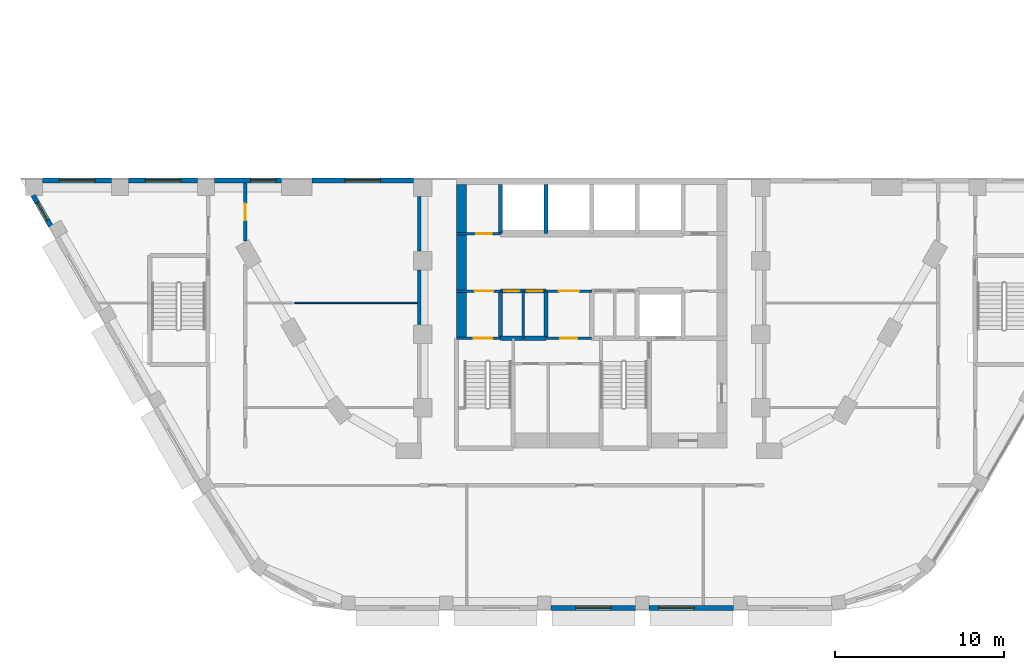
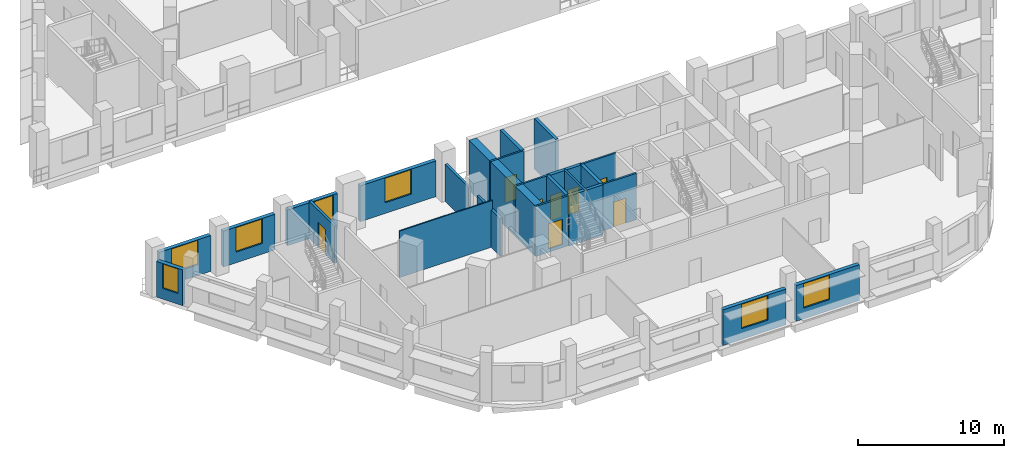
# One storey, part 14 of 45: 24 walls, 8 doors, 7 windows, 15 openings.
"""IFC4 building model written with IfcOpenShell, lengths in metres."""

from ifc_helpers import new_model, si_unit, direction, frame, frame_2d, origin, place, context, subcontext, project, spatial, rectangle, extrude, material, layer, layer_set, type_object, element, fill, save


model = new_model("IFC4")

# Units and contexts
model_context = context("Model", 3, precision=1e-05, world=origin(), true_north=direction((0.0, 1.0)))
body_context = subcontext(model_context, "Body", "Model", "MODEL_VIEW")
ifc_project = project(units=[si_unit("LENGTHUNIT", "METRE"), si_unit("AREAUNIT", "SQUARE_METRE"), si_unit("VOLUMEUNIT", "CUBIC_METRE"), si_unit("PLANEANGLEUNIT", "RADIAN"), si_unit("MASSUNIT", "GRAM", prefix="KILO")], contexts=[model_context])

# Site, building, storey
site_placement = place(None, origin())
site = spatial("IfcSite", under=ifc_project, at=site_placement, CompositionType="ELEMENT")
building_placement = place(site_placement, origin())
building = spatial("IfcBuilding", under=site, at=building_placement, Name="Nakaniwa Court", CompositionType="ELEMENT")
storey_placement = place(building_placement, frame((0.0, 0.0, 11.39990234375)))
storey = spatial("IfcBuildingStorey", under=building, at=storey_placement, Name="L02", CompositionType="ELEMENT", Elevation=11.39990234375)

# Wall, opening, door
ifc_material_1 = material(Name="Acoustic double stud partition")
ifc_layer_1 = layer(ifc_material_1, 0.199951171875)
ifc_layer_set_1 = layer_set([ifc_layer_1], Name="Acoustic double stud partition")
wall_type_1 = type_object("IfcWallType", Name="Acoustic double stud partition 200", PredefinedType="PARTITIONING", material=ifc_layer_set_1)
wall_1_placement = place(storey_placement, frame((59.5, 72.300048828125, 0.0), z_axis=(0.0, 0.0, 1.0), x_axis=(0.0, -1.0, 0.0)))
wall_1 = element("IfcWall", 1, at=wall_1_placement, inside=storey, type_object=wall_type_1, Name="Partition PW-099", PredefinedType="PARTITIONING", context=body_context, shape_type="SweptSolid", body=[
    extrude(rectangle(XDim=3.44921875, YDim=0.199951171875, at=frame_2d((1.724609375, 0.0))), origin(), (0.0, 0.0, 1.0), 3.130126953125),
])
opening_1_placement = place(wall_1_placement, frame((1.222900390625, 0.0, 0.0)))
opening_1 = element("IfcOpeningElement", 2, at=opening_1_placement, cuts=wall_1, Name="Opening D-02-16", PredefinedType="OPENING", context=body_context, shape_type="SweptSolid", body=[
    extrude(rectangle(XDim=1.0, YDim=2.10009765625, at=frame_2d((0.5, 1.050048828125))), frame((0.0, 0.10986328125, 0.0), z_axis=(0.0, -1.0, 0.0), x_axis=(1.0, 0.0, 0.0)), (0.0, 0.0, 1.0), 0.219970703125),
])
ifc_material_2 = material(Name="Solid core timber door set, black veneer", Category="wood")
door_type_1 = type_object("IfcDoorType", Name="Internal door 1000", OperationType="NOTDEFINED", PredefinedType="DOOR", material=ifc_material_2)
door_1_placement = place(opening_1_placement, origin())
door_1 = element("IfcDoor", 3, at=door_1_placement, inside=storey, type_object=door_type_1, Name="Door D-02-16 L02-049", OperationType="SINGLE_SWING_RIGHT", OverallHeight=2.10009765625, OverallWidth=1.0, PredefinedType="DOOR", context=body_context, shape_type="SweptSolid", body=[
    extrude(rectangle(XDim=1.0, YDim=2.10009765625, at=frame_2d((0.5, 1.050048828125))), frame((0.0, 0.02490234375, 0.0), z_axis=(0.0, -1.0, 0.0), x_axis=(1.0, 0.0, 0.0)), (0.0, 0.0, 1.0), 0.050048828125),
])
fill(opening_1, door_1)

# Walls
wall_2_placement = place(storey_placement, frame((69.800048828125, 63.9169921875, 0.0), z_axis=(0.0, 0.0, 1.0), x_axis=(0.0, 1.0, 0.0)))
element("IfcWall", 4, at=wall_2_placement, inside=storey, type_object=wall_type_1, Name="Partition PW-112", PredefinedType="PARTITIONING", context=body_context, shape_type="SweptSolid", body=[
    extrude(rectangle(XDim=3.216064453125, YDim=0.199951171875, at=frame_2d((1.60791015625, 0.0))), origin(), (0.0, 0.0, 1.0), 3.130126953125),
])
wall_3_placement = place(storey_placement, frame((69.800048828125, 68.26708984375, 0.0), z_axis=(0.0, 0.0, 1.0), x_axis=(0.0, 1.0, 0.0)))
element("IfcWall", 5, at=wall_3_placement, inside=storey, type_object=wall_type_1, Name="Partition PW-113", PredefinedType="PARTITIONING", context=body_context, shape_type="SweptSolid", body=[
    extrude(rectangle(XDim=3.2158203125, YDim=0.199951171875, at=frame_2d((1.60791015625, 0.0))), origin(), (0.0, 0.0, 1.0), 3.130126953125),
])

# Wall, opening, window
ifc_material_3 = material(Name="Charcoal ceramic cladding")
ifc_layer_2 = layer(ifc_material_3, 0.02, Name="Ceramic cladding")
ifc_material_4 = material(Name="Ventilated air cavity")
ifc_layer_3 = layer(ifc_material_4, 0.04, ventilated=True, Name="Ventilated cavity")
ifc_material_5 = material(Name="Mineral wool insulation")
ifc_layer_4 = layer(ifc_material_5, 0.1, Name="Insulation")
ifc_material_6 = material(Name="Cement bonded sheathing board")
ifc_layer_5 = layer(ifc_material_6, 0.012, Name="Sheathing")
ifc_material_7 = material(Name="Cold-formed galvanised stud frame with mineral wool infill")
ifc_layer_6 = layer(ifc_material_7, 0.1, Name="Stud frame")
ifc_material_8 = material(Name="Fire-rated gypsum plasterboard lining")
ifc_layer_7 = layer(ifc_material_8, 0.028, Name="Lining")
ifc_layer_set_2 = layer_set([ifc_layer_2, ifc_layer_3, ifc_layer_4, ifc_layer_5, ifc_layer_6, ifc_layer_7], Name="Charcoal ceramic faced external wall system")
wall_type_2 = type_object("IfcWallType", Name="Black ceramic faced external wall 300", PredefinedType="SOLIDWALL", material=ifc_layer_set_2)
wall_4_placement = place(storey_placement, frame((69.4541015625, 72.449951171875, 0.0), z_axis=(0.0, 0.0, 1.0), x_axis=(-1.0, 0.0, 0.0)))
wall_4 = element("IfcWall", 6, at=wall_4_placement, inside=storey, type_object=wall_type_2, Name="L02 external wall 08", PredefinedType="SOLIDWALL", context=body_context, shape_type="SweptSolid", body=[
    extrude(rectangle(XDim=6.01611328125, YDim=0.300048828125, at=frame_2d((3.008056640625, 0.0))), origin(), (0.0, 0.0, 1.0), 3.0),
])
opening_2_placement = place(wall_4_placement, frame((1.9580078125, 0.0, 0.89990234375)))
opening_2 = element("IfcOpeningElement", 7, at=opening_2_placement, cuts=wall_4, Name="Opening W2.05", PredefinedType="OPENING", context=body_context, shape_type="SweptSolid", body=[
    extrude(rectangle(XDim=2.10009765625, YDim=2.050048828125, at=frame_2d((1.050048828125, 1.02490234375))), frame((0.0, 0.159912109375, 0.0), z_axis=(0.0, -1.0, 0.0), x_axis=(1.0, 0.0, 0.0)), (0.0, 0.0, 1.0), 0.320068359375),
])
ifc_material_9 = material(Name="Black anodised aluminium frame with dark low-E laminated double glazing", Category="aluminium")
window_type_1 = type_object("IfcWindowType", Name="Dark glass window 2100x2050 sill 900", PartitioningType="SINGLE_PANEL", PredefinedType="WINDOW", material=ifc_material_9)
window_1_placement = place(opening_2_placement, origin())
window_1 = element("IfcWindow", 8, at=window_1_placement, inside=storey, type_object=window_type_1, Name="L02 habitable room window 08-0", OverallHeight=2.050048828125, OverallWidth=2.10009765625, PartitioningType="SINGLE_PANEL", PredefinedType="WINDOW", context=body_context, shape_type="SweptSolid", body=[
    extrude(rectangle(XDim=2.10009765625, YDim=2.050048828125, at=frame_2d((1.050048828125, 1.02490234375))), frame((0.0, 0.030029296875, 0.0), z_axis=(0.0, -1.0, 0.0), x_axis=(1.0, 0.0, 0.0)), (0.0, 0.0, 1.0), 0.06005859375),
])
fill(opening_2, window_1)

wall_5_placement = place(storey_placement, frame((61.64599609375, 72.449951171875, 0.0), z_axis=(0.0, 0.0, 1.0), x_axis=(-1.0, 0.0, 0.0)))
wall_5 = element("IfcWall", 9, at=wall_5_placement, inside=storey, type_object=wall_type_2, Name="L02 external wall 09", PredefinedType="SOLIDWALL", context=body_context, shape_type="SweptSolid", body=[
    extrude(rectangle(XDim=3.972900390625, YDim=0.300048828125, at=frame_2d((1.986328125, 0.0))), origin(), (0.0, 0.0, 1.0), 3.0),
])
opening_3_placement = place(wall_5_placement, frame((0.3349609375, 0.0, 0.89990234375)))
opening_3 = element("IfcOpeningElement", 10, at=opening_3_placement, cuts=wall_5, Name="Opening W4.06", PredefinedType="OPENING", context=body_context, shape_type="SweptSolid", body=[
    extrude(rectangle(XDim=1.5, YDim=2.050048828125, at=frame_2d((0.75, 1.02490234375))), frame((0.0, 0.159912109375, 0.0), z_axis=(0.0, -1.0, 0.0), x_axis=(1.0, 0.0, 0.0)), (0.0, 0.0, 1.0), 0.320068359375),
])
window_type_2 = type_object("IfcWindowType", Name="Dark glass window 1500x2050 sill 900", PartitioningType="SINGLE_PANEL", PredefinedType="WINDOW", material=ifc_material_9)
window_2_placement = place(opening_3_placement, origin())
window_2 = element("IfcWindow", 11, at=window_2_placement, inside=storey, type_object=window_type_2, Name="L02 habitable room window 09-0", OverallHeight=2.050048828125, OverallWidth=1.5, PartitioningType="SINGLE_PANEL", PredefinedType="WINDOW", context=body_context, shape_type="SweptSolid", body=[
    extrude(rectangle(XDim=1.5, YDim=2.050048828125, at=frame_2d((0.75, 1.02490234375))), frame((0.0, 0.030029296875, 0.0), z_axis=(0.0, -1.0, 0.0), x_axis=(1.0, 0.0, 0.0)), (0.0, 0.0, 1.0), 0.06005859375),
])
fill(opening_3, window_2)

wall_6_placement = place(storey_placement, frame((56.680908203125, 72.449951171875, 0.0), z_axis=(0.0, 0.0, 1.0), x_axis=(-1.0, 0.0, 0.0)))
wall_6 = element("IfcWall", 12, at=wall_6_placement, inside=storey, type_object=wall_type_2, Name="L02 external wall 10", PredefinedType="SOLIDWALL", context=body_context, shape_type="SweptSolid", body=[
    extrude(rectangle(XDim=4.093994140625, YDim=0.300048828125, at=frame_2d((2.046875, 0.0))), origin(), (0.0, 0.0, 1.0), 3.0),
])
opening_4_placement = place(wall_6_placement, frame((0.9970703125, 0.0, 0.89990234375)))
opening_4 = element("IfcOpeningElement", 13, at=opening_4_placement, cuts=wall_6, Name="Opening W2.07", PredefinedType="OPENING", context=body_context, shape_type="SweptSolid", body=[
    extrude(rectangle(XDim=2.10009765625, YDim=2.050048828125, at=frame_2d((1.050048828125, 1.02490234375))), frame((0.0, 0.159912109375, 0.0), z_axis=(0.0, -1.0, 0.0), x_axis=(1.0, 0.0, 0.0)), (0.0, 0.0, 1.0), 0.320068359375),
])
window_3_placement = place(opening_4_placement, origin())
window_3 = element("IfcWindow", 14, at=window_3_placement, inside=storey, type_object=window_type_1, Name="L02 habitable room window 10-0", OverallHeight=2.050048828125, OverallWidth=2.10009765625, PartitioningType="SINGLE_PANEL", PredefinedType="WINDOW", context=body_context, shape_type="SweptSolid", body=[
    extrude(rectangle(XDim=2.10009765625, YDim=2.050048828125, at=frame_2d((1.050048828125, 1.02490234375))), frame((0.0, 0.030029296875, 0.0), z_axis=(0.0, -1.0, 0.0), x_axis=(1.0, 0.0, 0.0)), (0.0, 0.0, 1.0), 0.06005859375),
])
fill(opening_4, window_3)

wall_7_placement = place(storey_placement, frame((51.594970703125, 72.449951171875, 0.0), z_axis=(0.0, 0.0, 1.0), x_axis=(-1.0, 0.0, 0.0)))
wall_7 = element("IfcWall", 15, at=wall_7_placement, inside=storey, type_object=wall_type_2, Name="L02 external wall 11", PredefinedType="SOLIDWALL", context=body_context, shape_type="SweptSolid", body=[
    extrude(rectangle(XDim=4.094970703125, YDim=0.300048828125, at=frame_2d((2.04736328125, 0.0))), origin(), (0.0, 0.0, 1.0), 3.0),
])
opening_5_placement = place(wall_7_placement, frame((0.99755859375, 0.0, 0.89990234375)))
opening_5 = element("IfcOpeningElement", 16, at=opening_5_placement, cuts=wall_7, Name="Opening W2.08", PredefinedType="OPENING", context=body_context, shape_type="SweptSolid", body=[
    extrude(rectangle(XDim=2.10009765625, YDim=2.050048828125, at=frame_2d((1.050048828125, 1.02490234375))), frame((0.0, 0.159912109375, 0.0), z_axis=(0.0, -1.0, 0.0), x_axis=(1.0, 0.0, 0.0)), (0.0, 0.0, 1.0), 0.320068359375),
])
window_4_placement = place(opening_5_placement, origin())
window_4 = element("IfcWindow", 17, at=window_4_placement, inside=storey, type_object=window_type_1, Name="L02 habitable room window 11-0", OverallHeight=2.050048828125, OverallWidth=2.10009765625, PartitioningType="SINGLE_PANEL", PredefinedType="WINDOW", context=body_context, shape_type="SweptSolid", body=[
    extrude(rectangle(XDim=2.10009765625, YDim=2.050048828125, at=frame_2d((1.050048828125, 1.02490234375))), frame((0.0, 0.030029296875, 0.0), z_axis=(0.0, -1.0, 0.0), x_axis=(1.0, 0.0, 0.0)), (0.0, 0.0, 1.0), 0.06005859375),
])
fill(opening_5, window_4)

wall_8_placement = place(storey_placement, frame((46.944580078125, 71.553466796875, 0.0), z_axis=(0.0, 0.0, 1.0), x_axis=(0.500020978615, -0.866013291437, 0.0)))
wall_8 = element("IfcWall", 18, at=wall_8_placement, inside=storey, type_object=wall_type_2, Name="L02 external wall 12", PredefinedType="SOLIDWALL", context=body_context, shape_type="SweptSolid", body=[
    extrude(rectangle(XDim=2.07666015625, YDim=0.300048828125, at=frame_2d((1.038330078125, 0.0))), origin(), (0.0, 0.0, 1.0), 3.0),
])
opening_6_placement = place(wall_8_placement, frame((0.489013671875, 0.0, 0.89990234375)))
opening_6 = element("IfcOpeningElement", 19, at=opening_6_placement, cuts=wall_8, Name="Opening W1.09", PredefinedType="OPENING", context=body_context, shape_type="SweptSolid", body=[
    extrude(rectangle(XDim=1.199951171875, YDim=2.050048828125, at=frame_2d((0.60009765625, 1.02490234375))), frame((0.0, 0.159912109375, 0.0), z_axis=(0.0, -1.0, 0.0), x_axis=(1.0, 0.0, 0.0)), (0.0, 0.0, 1.0), 0.320068359375),
])
window_type_3 = type_object("IfcWindowType", Name="Dark glass window 1200x2050 sill 900", PartitioningType="SINGLE_PANEL", PredefinedType="WINDOW", material=ifc_material_9)
window_5_placement = place(opening_6_placement, origin())
window_5 = element("IfcWindow", 20, at=window_5_placement, inside=storey, type_object=window_type_3, Name="L02 habitable room window 12-0", OverallHeight=2.050048828125, OverallWidth=1.199951171875, PartitioningType="SINGLE_PANEL", PredefinedType="WINDOW", context=body_context, shape_type="SweptSolid", body=[
    extrude(rectangle(XDim=1.199951171875, YDim=2.050048828125, at=frame_2d((0.60009765625, 1.02490234375))), frame((0.0, 0.030029296875, 0.0), z_axis=(0.0, -1.0, 0.0), x_axis=(1.0, 0.0, 0.0)), (0.0, 0.0, 1.0), 0.06005859375),
])
fill(opening_6, window_5)

wall_9_placement = place(storey_placement, frame((77.59619140625, 47.14990234375, 0.0), z_axis=(0.0, 0.0, 1.0), x_axis=(1.0, 0.0, 0.0)))
wall_9 = element("IfcWall", 21, at=wall_9_placement, inside=storey, type_object=wall_type_2, Name="L02 external wall 21", PredefinedType="SOLIDWALL", context=body_context, shape_type="SweptSolid", body=[
    extrude(rectangle(XDim=5.01025390625, YDim=0.300048828125, at=frame_2d((2.505126953125, 0.0))), origin(), (0.0, 0.0, 1.0), 3.0),
])
opening_7_placement = place(wall_9_placement, frame((1.455078125, 0.0, 0.89990234375)))
opening_7 = element("IfcOpeningElement", 22, at=opening_7_placement, cuts=wall_9, Name="Opening W2.18", PredefinedType="OPENING", context=body_context, shape_type="SweptSolid", body=[
    extrude(rectangle(XDim=2.10009765625, YDim=2.050048828125, at=frame_2d((1.050048828125, 1.02490234375))), frame((0.0, 0.159912109375, 0.0), z_axis=(0.0, -1.0, 0.0), x_axis=(1.0, 0.0, 0.0)), (0.0, 0.0, 1.0), 0.320068359375),
])
window_6_placement = place(opening_7_placement, origin())
window_6 = element("IfcWindow", 23, at=window_6_placement, inside=storey, type_object=window_type_1, Name="L02 habitable room window 21-0", OverallHeight=2.050048828125, OverallWidth=2.10009765625, PartitioningType="SINGLE_PANEL", PredefinedType="WINDOW", context=body_context, shape_type="SweptSolid", body=[
    extrude(rectangle(XDim=2.10009765625, YDim=2.050048828125, at=frame_2d((1.050048828125, 1.02490234375))), frame((0.0, 0.030029296875, 0.0), z_axis=(0.0, -1.0, 0.0), x_axis=(1.0, 0.0, 0.0)), (0.0, 0.0, 1.0), 0.06005859375),
])
fill(opening_7, window_6)

wall_10_placement = place(storey_placement, frame((83.3984375, 47.14990234375, 0.0), z_axis=(0.0, 0.0, 1.0), x_axis=(1.0, 0.0, 0.0)))
wall_10 = element("IfcWall", 24, at=wall_10_placement, inside=storey, type_object=wall_type_2, Name="L02 external wall 22", PredefinedType="SOLIDWALL", context=body_context, shape_type="SweptSolid", body=[
    extrude(rectangle(XDim=5.01025390625, YDim=0.300048828125, at=frame_2d((2.505126953125, 0.0))), origin(), (0.0, 0.0, 1.0), 3.0),
])
opening_8_placement = place(wall_10_placement, frame((0.562744140625, 0.0, 0.89990234375)))
opening_8 = element("IfcOpeningElement", 25, at=opening_8_placement, cuts=wall_10, Name="Opening W2.19", PredefinedType="OPENING", context=body_context, shape_type="SweptSolid", body=[
    extrude(rectangle(XDim=2.10009765625, YDim=2.050048828125, at=frame_2d((1.050048828125, 1.02490234375))), frame((0.0, 0.159912109375, 0.0), z_axis=(0.0, -1.0, 0.0), x_axis=(1.0, 0.0, 0.0)), (0.0, 0.0, 1.0), 0.320068359375),
])
window_7_placement = place(opening_8_placement, origin())
window_7 = element("IfcWindow", 26, at=window_7_placement, inside=storey, type_object=window_type_1, Name="L02 habitable room window 22-0", OverallHeight=2.050048828125, OverallWidth=2.10009765625, PartitioningType="SINGLE_PANEL", PredefinedType="WINDOW", context=body_context, shape_type="SweptSolid", body=[
    extrude(rectangle(XDim=2.10009765625, YDim=2.050048828125, at=frame_2d((1.050048828125, 1.02490234375))), frame((0.0, 0.030029296875, 0.0), z_axis=(0.0, -1.0, 0.0), x_axis=(1.0, 0.0, 0.0)), (0.0, 0.0, 1.0), 0.06005859375),
])
fill(opening_8, window_7)

# Wall, opening, door
ifc_material_10 = material(Name="Blockwork partition", Category="masonry")
ifc_layer_8 = layer(ifc_material_10, 0.14990234375)
ifc_layer_set_3 = layer_set([ifc_layer_8], Name="Blockwork partition")
wall_type_3 = type_object("IfcWallType", Name="Blockwork partition 150", PredefinedType="PARTITIONING", material=ifc_layer_set_3)
wall_11_placement = place(storey_placement, frame((72.0, 69.300048828125, 0.0), z_axis=(0.0, 0.0, 1.0), x_axis=(1.0, 0.0, 0.0)))
wall_11 = element("IfcWall", 27, at=wall_11_placement, inside=storey, type_object=wall_type_3, Name="Partition PW-042", PredefinedType="PARTITIONING", context=body_context, shape_type="SweptSolid", body=[
    extrude(rectangle(XDim=2.60009765625, YDim=0.14990234375, at=frame_2d((1.300048828125, 0.0))), origin(), (0.0, 0.0, 1.0), 3.900146484375),
])
opening_9_placement = place(wall_11_placement, frame((1.175048828125, 0.0, 0.0)))
opening_9 = element("IfcOpeningElement", 28, at=opening_9_placement, cuts=wall_11, Name="Opening D-05-10", PredefinedType="OPENING", context=body_context, shape_type="SweptSolid", body=[
    extrude(rectangle(XDim=0.89990234375, YDim=2.10009765625, at=frame_2d((0.449951171875, 1.050048828125))), frame((0.0, 0.0849609375, 0.0), z_axis=(0.0, -1.0, 0.0), x_axis=(1.0, 0.0, 0.0)), (0.0, 0.0, 1.0), 0.169921875),
])
ifc_material_11 = material(Name="Fire rated steel door set", Category="steel")
door_type_2 = type_object("IfcDoorType", Name="Service room door 900", OperationType="NOTDEFINED", PredefinedType="DOOR", material=ifc_material_11)
door_2_placement = place(opening_9_placement, origin())
door_2 = element("IfcDoor", 29, at=door_2_placement, inside=storey, type_object=door_type_2, Name="Door D-05-10 L02-015", OperationType="SINGLE_SWING_RIGHT", OverallHeight=2.10009765625, OverallWidth=0.89990234375, PredefinedType="DOOR", context=body_context, shape_type="SweptSolid", body=[
    extrude(rectangle(XDim=0.89990234375, YDim=2.10009765625, at=frame_2d((0.449951171875, 1.050048828125))), frame((0.0, 0.02490234375, 0.0), z_axis=(0.0, -1.0, 0.0), x_axis=(1.0, 0.0, 0.0)), (0.0, 0.0, 1.0), 0.050048828125),
])
fill(opening_9, door_2)

wall_12_placement = place(storey_placement, frame((74.60302734375, 65.89990234375, 0.0), z_axis=(0.0, 0.0, 1.0), x_axis=(-1.0, 0.0, 0.0)))
wall_12 = element("IfcWall", 30, at=wall_12_placement, inside=storey, type_object=wall_type_3, Name="Partition PW-055", PredefinedType="PARTITIONING", context=body_context, shape_type="SweptSolid", body=[
    extrude(rectangle(XDim=2.60302734375, YDim=0.14990234375, at=frame_2d((1.301513671875, 0.0))), origin(), (0.0, 0.0, 1.0), 3.900146484375),
])
opening_10_placement = place(wall_12_placement, frame((0.427978515625, 0.0, 0.0)))
opening_10 = element("IfcOpeningElement", 31, at=opening_10_placement, cuts=wall_12, Name="Opening D-08-02", PredefinedType="OPENING", context=body_context, shape_type="SweptSolid", body=[
    extrude(rectangle(XDim=1.10009765625, YDim=2.10009765625, at=frame_2d((0.550048828125, 1.050048828125))), frame((0.0, 0.0849609375, 0.0), z_axis=(0.0, -1.0, 0.0), x_axis=(1.0, 0.0, 0.0)), (0.0, 0.0, 1.0), 0.169921875),
])
door_type_3 = type_object("IfcDoorType", Name="Stair lobby door 1100", OperationType="NOTDEFINED", PredefinedType="DOOR", material=ifc_material_11)
door_3_placement = place(opening_10_placement, origin())
door_3 = element("IfcDoor", 32, at=door_3_placement, inside=storey, type_object=door_type_3, Name="Door D-08-02 L02-017", OperationType="SINGLE_SWING_RIGHT", OverallHeight=2.10009765625, OverallWidth=1.10009765625, PredefinedType="DOOR", context=body_context, shape_type="SweptSolid", body=[
    extrude(rectangle(XDim=1.10009765625, YDim=2.10009765625, at=frame_2d((0.550048828125, 1.050048828125))), frame((0.0, 0.02490234375, 0.0), z_axis=(0.0, -1.0, 0.0), x_axis=(1.0, 0.0, 0.0)), (0.0, 0.0, 1.0), 0.050048828125),
])
fill(opening_10, door_3)

wall_13_placement = place(storey_placement, frame((80.0029296875, 65.89990234375, 0.0), z_axis=(0.0, 0.0, 1.0), x_axis=(-1.0, 0.0, 0.0)))
wall_13 = element("IfcWall", 33, at=wall_13_placement, inside=storey, type_object=wall_type_3, Name="Partition PW-056", PredefinedType="PARTITIONING", context=body_context, shape_type="SweptSolid", body=[
    extrude(rectangle(XDim=2.705810546875, YDim=0.14990234375, at=frame_2d((1.35302734375, 0.0))), origin(), (0.0, 0.0, 1.0), 3.900146484375),
])
opening_11_placement = place(wall_13_placement, frame((0.7529296875, 0.0, 0.0)))
opening_11 = element("IfcOpeningElement", 34, at=opening_11_placement, cuts=wall_13, Name="Opening D-06-02", PredefinedType="OPENING", context=body_context, shape_type="SweptSolid", body=[
    extrude(rectangle(XDim=1.199951171875, YDim=2.10009765625, at=frame_2d((0.60009765625, 1.050048828125))), frame((0.0, 0.0849609375, 0.0), z_axis=(0.0, -1.0, 0.0), x_axis=(1.0, 0.0, 0.0)), (0.0, 0.0, 1.0), 0.169921875),
])
ifc_material_12 = material(Name="Fire rated steel double door set", Category="steel")
door_type_4 = type_object("IfcDoorType", Name="Service passage double door 1200", OperationType="NOTDEFINED", PredefinedType="DOOR", material=ifc_material_12)
door_4_placement = place(opening_11_placement, origin())
door_4 = element("IfcDoor", 35, at=door_4_placement, inside=storey, type_object=door_type_4, Name="Door D-06-02 L02-020", OperationType="DOUBLE_DOOR_SINGLE_SWING", OverallHeight=2.10009765625, OverallWidth=1.199951171875, PredefinedType="DOOR", context=body_context, shape_type="SweptSolid", body=[
    extrude(rectangle(XDim=1.199951171875, YDim=2.10009765625, at=frame_2d((0.60009765625, 1.050048828125))), frame((0.0, 0.02490234375, 0.0), z_axis=(0.0, -1.0, 0.0), x_axis=(1.0, 0.0, 0.0)), (0.0, 0.0, 1.0), 0.050048828125),
])
fill(opening_11, door_4)

# Wall
wall_14_placement = place(storey_placement, frame((75.949951171875, 63.10009765625, 0.0), z_axis=(0.0, 0.0, 1.0), x_axis=(0.0, 1.0, 0.0)))
element("IfcWall", 36, at=wall_14_placement, inside=storey, type_object=wall_type_3, Name="Partition PW-062", PredefinedType="PARTITIONING", context=body_context, shape_type="SweptSolid", body=[
    extrude(rectangle(XDim=2.7998046875, YDim=0.14990234375, at=frame_2d((1.39990234375, 0.0))), origin(), (0.0, 0.0, 1.0), 3.900146484375),
])

# Wall, opening, door
wall_15_placement = place(storey_placement, frame((80.0, 63.10009765625, 0.0), z_axis=(0.0, 0.0, 1.0), x_axis=(-1.0, 0.0, 0.0)))
wall_15 = element("IfcWall", 37, at=wall_15_placement, inside=storey, type_object=wall_type_3, Name="Partition PW-065", PredefinedType="PARTITIONING", context=body_context, shape_type="SweptSolid", body=[
    extrude(rectangle(XDim=2.699951171875, YDim=0.14990234375, at=frame_2d((1.35009765625, 0.0))), origin(), (0.0, 0.0, 1.0), 3.900146484375),
])
opening_12_placement = place(wall_15_placement, frame((0.85009765625, 0.0, 0.0)))
opening_12 = element("IfcOpeningElement", 38, at=opening_12_placement, cuts=wall_15, Name="Opening D-23-02", PredefinedType="OPENING", context=body_context, shape_type="SweptSolid", body=[
    extrude(rectangle(XDim=1.0, YDim=2.10009765625, at=frame_2d((0.5, 1.050048828125))), frame((0.0, 0.0849609375, 0.0), z_axis=(0.0, -1.0, 0.0), x_axis=(1.0, 0.0, 0.0)), (0.0, 0.0, 1.0), 0.169921875),
])
door_type_5 = type_object("IfcDoorType", Name="Service room door 1000", OperationType="NOTDEFINED", PredefinedType="DOOR", material=ifc_material_11)
door_5_placement = place(opening_12_placement, origin())
door_5 = element("IfcDoor", 39, at=door_5_placement, inside=storey, type_object=door_type_5, Name="Door D-23-02 L02-024", OperationType="SINGLE_SWING_LEFT", OverallHeight=2.10009765625, OverallWidth=1.0, PredefinedType="DOOR", context=body_context, shape_type="SweptSolid", body=[
    extrude(rectangle(XDim=1.0, YDim=2.10009765625, at=frame_2d((0.5, 1.050048828125))), frame((0.0, 0.02490234375, 0.0), z_axis=(0.0, -1.0, 0.0), x_axis=(1.0, 0.0, 0.0)), (0.0, 0.0, 1.0), 0.050048828125),
])
fill(opening_12, door_5)

# Wall
ifc_material_13 = material(Name="Concrete C100/115", Category="concrete")
ifc_layer_9 = layer(ifc_material_13, 0.60009765625)
ifc_layer_set_4 = layer_set([ifc_layer_9], Name="Concrete C100/115")
wall_type_4 = type_object("IfcWallType", Name="Concrete core side wall 600 C100", PredefinedType="SHEAR", material=ifc_layer_set_4)
wall_16_placement = place(storey_placement, frame((72.300048828125, 63.10009765625, -0.2998046875), z_axis=(0.0, 0.0, 1.0), x_axis=(0.0, 1.0, 0.0)))
element("IfcWall", 40, at=wall_16_placement, inside=storey, type_object=wall_type_4, Name="Core wall SW-43", PredefinedType="SHEAR", context=body_context, shape_type="SweptSolid", body=[
    extrude(rectangle(XDim=9.099853515625, YDim=0.60009765625, at=frame_2d((4.5498046875, 0.0))), origin(), (0.0, 0.0, 1.0), 4.199951171875),
])

# Wall, opening, door
ifc_layer_10 = layer(ifc_material_13, 0.14990234375)
ifc_layer_set_5 = layer_set([ifc_layer_10], Name="Concrete C100/115")
wall_type_5 = type_object("IfcWallType", Name="Concrete core wall 150 C100", PredefinedType="SHEAR", material=ifc_layer_set_5)
wall_17_placement = place(storey_placement, frame((72.0, 63.10009765625, -0.2998046875), z_axis=(0.0, 0.0, 1.0), x_axis=(1.0, 0.0, 0.0)))
wall_17 = element("IfcWall", 41, at=wall_17_placement, inside=storey, type_object=wall_type_5, Name="Core wall SW-61", PredefinedType="SHEAR", context=body_context, shape_type="SweptSolid", body=[
    extrude(rectangle(XDim=2.60009765625, YDim=0.14990234375, at=frame_2d((1.300048828125, 0.0))), origin(), (0.0, 0.0, 1.0), 4.199951171875),
])
opening_13_placement = place(wall_17_placement, frame((1.02001953125, 0.0, 0.300048828125)))
opening_13 = element("IfcOpeningElement", 42, at=opening_13_placement, cuts=wall_17, Name="Opening D-09-02", PredefinedType="OPENING", context=body_context, shape_type="SweptSolid", body=[
    extrude(rectangle(XDim=1.10009765625, YDim=2.10009765625, at=frame_2d((0.550048828125, 1.050048828125))), frame((0.0, 0.0849609375, 0.0), z_axis=(0.0, -1.0, 0.0), x_axis=(1.0, 0.0, 0.0)), (0.0, 0.0, 1.0), 0.169921875),
])
door_type_6 = type_object("IfcDoorType", Name="Stair door 1100", OperationType="NOTDEFINED", PredefinedType="DOOR", material=ifc_material_11)
door_6_placement = place(opening_13_placement, origin())
door_6 = element("IfcDoor", 43, at=door_6_placement, inside=storey, type_object=door_type_6, Name="Door D-09-02 L02-027", OperationType="SINGLE_SWING_LEFT", OverallHeight=2.10009765625, OverallWidth=1.10009765625, PredefinedType="DOOR", context=body_context, shape_type="SweptSolid", body=[
    extrude(rectangle(XDim=1.10009765625, YDim=2.10009765625, at=frame_2d((0.550048828125, 1.050048828125))), frame((0.0, 0.02490234375, 0.0), z_axis=(0.0, -1.0, 0.0), x_axis=(1.0, 0.0, 0.0)), (0.0, 0.0, 1.0), 0.050048828125),
])
fill(opening_13, door_6)

# Walls
ifc_layer_11 = layer(ifc_material_13, 0.25)
ifc_layer_set_6 = layer_set([ifc_layer_11], Name="Concrete C100/115")
wall_type_6 = type_object("IfcWallType", Name="Concrete shaft wall 250 C100", PredefinedType="SHEAR", material=ifc_layer_set_6)
wall_18_placement = place(storey_placement, frame((74.60009765625, 63.10009765625, -0.2998046875), z_axis=(0.0, 0.0, 1.0), x_axis=(0.0, 1.0, 0.0)))
element("IfcWall", 44, at=wall_18_placement, inside=storey, type_object=wall_type_6, Name="Core wall SW-40", PredefinedType="SHEAR", context=body_context, shape_type="SweptSolid", body=[
    extrude(rectangle(XDim=2.7998046875, YDim=0.25, at=frame_2d((1.39990234375, 0.0))), origin(), (0.0, 0.0, 1.0), 4.199951171875),
])
wall_19_placement = place(storey_placement, frame((74.60009765625, 69.300048828125, -0.2998046875), z_axis=(0.0, 0.0, 1.0), x_axis=(0.0, 1.0, 0.0)))
element("IfcWall", 45, at=wall_19_placement, inside=storey, type_object=wall_type_6, Name="Core wall SW-41", PredefinedType="SHEAR", context=body_context, shape_type="SweptSolid", body=[
    extrude(rectangle(XDim=2.89990234375, YDim=0.25, at=frame_2d((1.449951171875, 0.0))), origin(), (0.0, 0.0, 1.0), 4.199951171875),
])
wall_20_placement = place(storey_placement, frame((77.300048828125, 63.10009765625, -0.2998046875), z_axis=(0.0, 0.0, 1.0), x_axis=(0.0, 1.0, 0.0)))
element("IfcWall", 46, at=wall_20_placement, inside=storey, type_object=wall_type_6, Name="Core wall SW-44", PredefinedType="SHEAR", context=body_context, shape_type="SweptSolid", body=[
    extrude(rectangle(XDim=2.7998046875, YDim=0.25, at=frame_2d((1.39990234375, 0.0))), origin(), (0.0, 0.0, 1.0), 4.199951171875),
])
wall_21_placement = place(storey_placement, frame((77.300048828125, 69.300048828125, -0.2998046875), z_axis=(0.0, 0.0, 1.0), x_axis=(0.0, 1.0, 0.0)))
element("IfcWall", 47, at=wall_21_placement, inside=storey, type_object=wall_type_6, Name="Core wall SW-45", PredefinedType="SHEAR", context=body_context, shape_type="SweptSolid", body=[
    extrude(rectangle(XDim=2.89990234375, YDim=0.25, at=frame_2d((1.449951171875, 0.0))), origin(), (0.0, 0.0, 1.0), 4.199951171875),
])

# Wall, openings, doors
wall_22_placement = place(storey_placement, frame((77.302978515625, 65.89990234375, -0.2998046875), z_axis=(0.0, 0.0, 1.0), x_axis=(-1.0, 0.0, 0.0)))
wall_22 = element("IfcWall", 48, at=wall_22_placement, inside=storey, type_object=wall_type_6, Name="Core wall SW-58", PredefinedType="SHEAR", context=body_context, shape_type="SweptSolid", body=[
    extrude(rectangle(XDim=2.7060546875, YDim=0.25, at=frame_2d((1.35302734375, 0.0))), origin(), (0.0, 0.0, 1.0), 4.199951171875),
])
opening_14_placement = place(wall_22_placement, frame((1.577880859375, 0.0, 0.300048828125)))
opening_14 = element("IfcOpeningElement", 49, at=opening_14_placement, cuts=wall_22, Name="Opening D-05-12", PredefinedType="OPENING", context=body_context, shape_type="SweptSolid", body=[
    extrude(rectangle(XDim=0.89990234375, YDim=2.10009765625, at=frame_2d((0.449951171875, 1.050048828125))), frame((0.0, 0.135009765625, 0.0), z_axis=(0.0, -1.0, 0.0), x_axis=(1.0, 0.0, 0.0)), (0.0, 0.0, 1.0), 0.27001953125),
])
opening_15_placement = place(wall_22_placement, frame((0.22802734375, 0.0, 0.300048828125)))
opening_15 = element("IfcOpeningElement", 50, at=opening_15_placement, cuts=wall_22, Name="Opening D-05-13", PredefinedType="OPENING", context=body_context, shape_type="SweptSolid", body=[
    extrude(rectangle(XDim=0.89990234375, YDim=2.10009765625, at=frame_2d((0.449951171875, 1.050048828125))), frame((0.0, 0.135009765625, 0.0), z_axis=(0.0, -1.0, 0.0), x_axis=(1.0, 0.0, 0.0)), (0.0, 0.0, 1.0), 0.27001953125),
])
door_7_placement = place(opening_14_placement, origin())
door_7 = element("IfcDoor", 51, at=door_7_placement, inside=storey, type_object=door_type_2, Name="Door D-05-12 L02-018", OperationType="SINGLE_SWING_LEFT", OverallHeight=2.10009765625, OverallWidth=0.89990234375, PredefinedType="DOOR", context=body_context, shape_type="SweptSolid", body=[
    extrude(rectangle(XDim=0.89990234375, YDim=2.10009765625, at=frame_2d((0.449951171875, 1.050048828125))), frame((0.0, 0.02490234375, 0.0), z_axis=(0.0, -1.0, 0.0), x_axis=(1.0, 0.0, 0.0)), (0.0, 0.0, 1.0), 0.050048828125),
])
fill(opening_14, door_7)
door_8_placement = place(opening_15_placement, origin())
door_8 = element("IfcDoor", 52, at=door_8_placement, inside=storey, type_object=door_type_2, Name="Door D-05-13 L02-019", OperationType="SINGLE_SWING_RIGHT", OverallHeight=2.10009765625, OverallWidth=0.89990234375, PredefinedType="DOOR", context=body_context, shape_type="SweptSolid", body=[
    extrude(rectangle(XDim=0.89990234375, YDim=2.10009765625, at=frame_2d((0.449951171875, 1.050048828125))), frame((0.0, 0.02490234375, 0.0), z_axis=(0.0, -1.0, 0.0), x_axis=(1.0, 0.0, 0.0)), (0.0, 0.0, 1.0), 0.050048828125),
])
fill(opening_15, door_8)

# Walls
wall_23_placement = place(storey_placement, frame((74.60009765625, 63.10009765625, -0.2998046875), z_axis=(0.0, 0.0, 1.0), x_axis=(1.0, 0.0, 0.0)))
element("IfcWall", 53, at=wall_23_placement, inside=storey, type_object=wall_type_6, Name="Core wall SW-63", PredefinedType="SHEAR", context=body_context, shape_type="SweptSolid", body=[
    extrude(rectangle(XDim=2.699951171875, YDim=0.25, at=frame_2d((1.35009765625, 0.0))), origin(), (0.0, 0.0, 1.0), 4.199951171875),
])
ifc_material_14 = material(Name="Single stud plasterboard partition")
ifc_layer_12 = layer(ifc_material_14, 0.10009765625)
ifc_layer_set_7 = layer_set([ifc_layer_12], Name="Single stud plasterboard partition")
wall_type_7 = type_object("IfcWallType", Name="Single stud plasterboard partition 100", PredefinedType="PARTITIONING", material=ifc_layer_set_7)
wall_24_placement = place(storey_placement, frame((62.43359375, 65.199951171875, 0.0), z_axis=(0.0, 0.0, 1.0), x_axis=(1.0, 0.0, 0.0)))
element("IfcWall", 54, at=wall_24_placement, inside=storey, type_object=wall_type_7, Name="Partition PW-141", PredefinedType="PARTITIONING", context=body_context, shape_type="SweptSolid", body=[
    extrude(rectangle(XDim=7.366455078125, YDim=0.10009765625, at=frame_2d((3.68310546875, 0.0))), origin(), (0.0, 0.0, 1.0), 3.900146484375),
])

save(model, "model.ifc")
